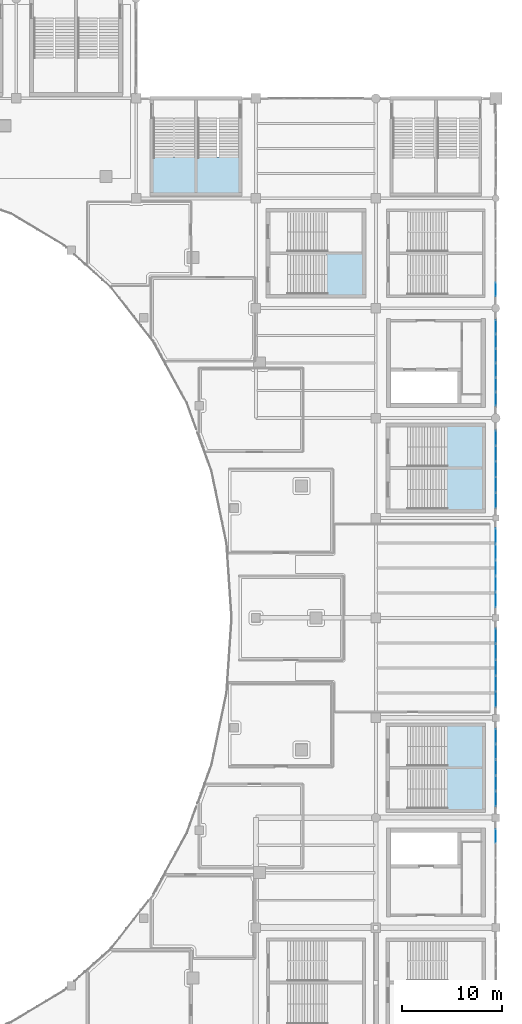
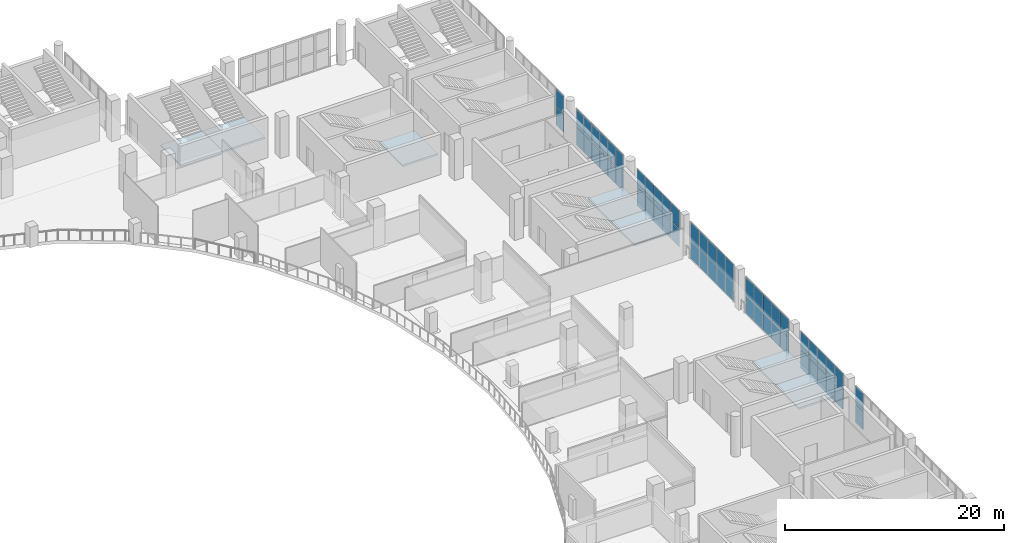
# One storey, part 57 of 90: 56 plates, 7 slabs, 14 elements without a shape of their own.
"""IFC4 building model written with IfcOpenShell, lengths in metres."""

from ifc_helpers import new_model, si_unit, direction, frame, origin, origin_2d, place, context, subcontext, project, spatial, polyline, rectangle, outline, extrude, material, layer, layer_set, type_object, element, aggregate, save


model = new_model("IFC4")

# Units and contexts
model_context = context("Model", 3, precision=1e-05, world=origin(), true_north=direction((0.0, 1.0)))
body_context = subcontext(model_context, "Body", "Model", "MODEL_VIEW")
ifc_project = project(units=[si_unit("LENGTHUNIT", "METRE"), si_unit("AREAUNIT", "SQUARE_METRE"), si_unit("VOLUMEUNIT", "CUBIC_METRE"), si_unit("PLANEANGLEUNIT", "RADIAN"), si_unit("MASSUNIT", "GRAM", prefix="KILO")], contexts=[model_context])

# Site, building, storey
site_placement = place(None, origin())
site = spatial("IfcSite", under=ifc_project, at=site_placement, CompositionType="ELEMENT")
building_placement = place(site_placement, origin())
building = spatial("IfcBuilding", under=site, at=building_placement, Name="Brinegate Civic Arena", CompositionType="ELEMENT")
storey_placement = place(building_placement, frame((0.0, 0.0, 14.699951171875)))
storey = spatial("IfcBuildingStorey", under=building, at=storey_placement, Name="L03", CompositionType="ELEMENT", Elevation=14.699951171875)

# Curtain wall, plates
ifc_material_1 = material(Name="Marine grade aluminium", Category="aluminium")
ifc_layer_1 = layer(ifc_material_1, 0.199951171875, Name="Marine grade aluminium")
ifc_layer_set_1 = layer_set([ifc_layer_1], Name="Marine grade aluminium")
curtain_wall_type = type_object("IfcCurtainWallType", Name="CW-BOWL-GLAZED-01", PredefinedType="USERDEFINED", material=ifc_layer_set_1)
curtain_wall_1_placement = place(storey_placement, origin())
curtain_wall_1 = element("IfcCurtainWall", 1, at=curtain_wall_1_placement, inside=storey, type_object=curtain_wall_type, Name="Curtain Wall CWA-108", ObjectType="GLAZED CURTAIN WALL", PredefinedType="USERDEFINED")
ifc_material_2 = material(Name="Hurricane laminated low-E glass", Category="glass")
ifc_layer_2 = layer(ifc_material_2, 0.028076171875, Name="Hurricane laminated low-E glass")
ifc_layer_set_2 = layer_set([ifc_layer_2], Name="Hurricane laminated low-E glass")
plate_type_1 = type_object("IfcPlateType", Name="CW-PANEL-GLAZED-28", PredefinedType="CURTAIN_PANEL", material=ifc_layer_set_2)
plate_1_placement = place(storey_placement, frame((168.0, 40.170166015625, 0.065185546875), z_axis=(0.0, 0.0, 1.0), x_axis=(0.0, 1.0, 0.0)))
plate_1 = element("IfcPlate", 2, at=plate_1_placement, type_object=plate_type_1, Name="CWA-108 panel 6.1", PredefinedType="CURTAIN_PANEL", context=body_context, shape_type="SweptSolid", body=[
    extrude(rectangle(XDim=1.369873046875, YDim=0.028076171875, at=origin_2d()), origin(), (0.0, 0.0, 1.0), 1.982421875),
])
plate_2_placement = place(storey_placement, frame((168.0, 40.170166015625, 2.112548828125), z_axis=(0.0, 0.0, 1.0), x_axis=(0.0, 1.0, 0.0)))
plate_2 = element("IfcPlate", 3, at=plate_2_placement, type_object=plate_type_1, Name="CWA-108 panel 6.2", PredefinedType="CURTAIN_PANEL", context=body_context, shape_type="SweptSolid", body=[
    extrude(rectangle(XDim=1.369873046875, YDim=0.028076171875, at=origin_2d()), origin(), (0.0, 0.0, 1.0), 1.982421875),
])
aggregate(curtain_wall_1, [plate_1, plate_2])

curtain_wall_2_placement = place(storey_placement, origin())
curtain_wall_2 = element("IfcCurtainWall", 4, at=curtain_wall_2_placement, inside=storey, type_object=curtain_wall_type, Name="Curtain Wall CWA-112", ObjectType="GLAZED CURTAIN WALL", PredefinedType="USERDEFINED")
plate_3_placement = place(storey_placement, frame((168.0, 53.855712890625, 0.0751953125), z_axis=(0.0, 0.0, 1.0), x_axis=(0.0, 1.0, 0.0)))
plate_3 = element("IfcPlate", 5, at=plate_3_placement, type_object=plate_type_1, Name="CWA-112 panel 1.1", PredefinedType="CURTAIN_PANEL", context=body_context, shape_type="SweptSolid", body=[
    extrude(rectangle(XDim=1.491455078125, YDim=0.028076171875, at=origin_2d()), origin(), (0.0, 0.0, 1.0), 1.967529296875),
])
plate_4_placement = place(storey_placement, frame((168.0, 53.855712890625, 2.11767578125), z_axis=(0.0, 0.0, 1.0), x_axis=(0.0, 1.0, 0.0)))
plate_4 = element("IfcPlate", 6, at=plate_4_placement, type_object=plate_type_1, Name="CWA-112 panel 1.2", PredefinedType="CURTAIN_PANEL", context=body_context, shape_type="SweptSolid", body=[
    extrude(rectangle(XDim=1.491455078125, YDim=0.028076171875, at=origin_2d()), origin(), (0.0, 0.0, 1.0), 1.967529296875),
])
plate_5_placement = place(storey_placement, frame((168.0, 55.428466796875, 0.0751953125), z_axis=(0.0, 0.0, 1.0), x_axis=(0.0, 1.0, 0.0)))
plate_5 = element("IfcPlate", 7, at=plate_5_placement, type_object=plate_type_1, Name="CWA-112 panel 2.1", PredefinedType="CURTAIN_PANEL", context=body_context, shape_type="SweptSolid", body=[
    extrude(rectangle(XDim=1.52392578125, YDim=0.028076171875, at=origin_2d()), origin(), (0.0, 0.0, 1.0), 1.967529296875),
])
plate_6_placement = place(storey_placement, frame((168.0, 55.428466796875, 2.11767578125), z_axis=(0.0, 0.0, 1.0), x_axis=(0.0, 1.0, 0.0)))
plate_6 = element("IfcPlate", 8, at=plate_6_placement, type_object=plate_type_1, Name="CWA-112 panel 2.2", PredefinedType="CURTAIN_PANEL", context=body_context, shape_type="SweptSolid", body=[
    extrude(rectangle(XDim=1.52392578125, YDim=0.028076171875, at=origin_2d()), origin(), (0.0, 0.0, 1.0), 1.967529296875),
])
plate_7_placement = place(storey_placement, frame((168.0, 57.017578125, 0.0751953125), z_axis=(0.0, 0.0, 1.0), x_axis=(0.0, 1.0, 0.0)))
plate_7 = element("IfcPlate", 9, at=plate_7_placement, type_object=plate_type_1, Name="CWA-112 panel 3.1", PredefinedType="CURTAIN_PANEL", context=body_context, shape_type="SweptSolid", body=[
    extrude(rectangle(XDim=1.52392578125, YDim=0.028076171875, at=origin_2d()), origin(), (0.0, 0.0, 1.0), 1.967529296875),
])
plate_8_placement = place(storey_placement, frame((168.0, 57.017578125, 2.11767578125), z_axis=(0.0, 0.0, 1.0), x_axis=(0.0, 1.0, 0.0)))
plate_8 = element("IfcPlate", 10, at=plate_8_placement, type_object=plate_type_1, Name="CWA-112 panel 3.2", PredefinedType="CURTAIN_PANEL", context=body_context, shape_type="SweptSolid", body=[
    extrude(rectangle(XDim=1.52392578125, YDim=0.028076171875, at=origin_2d()), origin(), (0.0, 0.0, 1.0), 1.967529296875),
])
plate_9_placement = place(storey_placement, frame((168.0, 58.6064453125, 0.0751953125), z_axis=(0.0, 0.0, 1.0), x_axis=(0.0, 1.0, 0.0)))
plate_9 = element("IfcPlate", 11, at=plate_9_placement, type_object=plate_type_1, Name="CWA-112 panel 4.1", PredefinedType="CURTAIN_PANEL", context=body_context, shape_type="SweptSolid", body=[
    extrude(rectangle(XDim=1.52392578125, YDim=0.028076171875, at=origin_2d()), origin(), (0.0, 0.0, 1.0), 1.967529296875),
])
plate_10_placement = place(storey_placement, frame((168.0, 58.6064453125, 2.11767578125), z_axis=(0.0, 0.0, 1.0), x_axis=(0.0, 1.0, 0.0)))
plate_10 = element("IfcPlate", 12, at=plate_10_placement, type_object=plate_type_1, Name="CWA-112 panel 4.2", PredefinedType="CURTAIN_PANEL", context=body_context, shape_type="SweptSolid", body=[
    extrude(rectangle(XDim=1.52392578125, YDim=0.028076171875, at=origin_2d()), origin(), (0.0, 0.0, 1.0), 1.967529296875),
])
plate_11_placement = place(storey_placement, frame((168.0, 60.17919921875, 0.0751953125), z_axis=(0.0, 0.0, 1.0), x_axis=(0.0, 1.0, 0.0)))
plate_11 = element("IfcPlate", 13, at=plate_11_placement, type_object=plate_type_1, Name="CWA-112 panel 5.1", PredefinedType="CURTAIN_PANEL", context=body_context, shape_type="SweptSolid", body=[
    extrude(rectangle(XDim=1.491455078125, YDim=0.028076171875, at=origin_2d()), origin(), (0.0, 0.0, 1.0), 1.967529296875),
])
plate_12_placement = place(storey_placement, frame((168.0, 60.17919921875, 2.11767578125), z_axis=(0.0, 0.0, 1.0), x_axis=(0.0, 1.0, 0.0)))
plate_12 = element("IfcPlate", 14, at=plate_12_placement, type_object=plate_type_1, Name="CWA-112 panel 5.2", PredefinedType="CURTAIN_PANEL", context=body_context, shape_type="SweptSolid", body=[
    extrude(rectangle(XDim=1.491455078125, YDim=0.028076171875, at=origin_2d()), origin(), (0.0, 0.0, 1.0), 1.967529296875),
])
aggregate(curtain_wall_2, [plate_3, plate_4, plate_5, plate_6, plate_7, plate_8, plate_9, plate_10, plate_11, plate_12])

curtain_wall_3_placement = place(storey_placement, origin())
curtain_wall_3 = element("IfcCurtainWall", 15, at=curtain_wall_3_placement, inside=storey, type_object=curtain_wall_type, Name="Curtain Wall CWA-116", ObjectType="GLAZED CURTAIN WALL", PredefinedType="USERDEFINED")
plate_13_placement = place(storey_placement, frame((168.0, 73.774169921875, 0.065185546875), z_axis=(0.0, 0.0, 1.0), x_axis=(0.0, 1.0, 0.0)))
plate_13 = element("IfcPlate", 16, at=plate_13_placement, type_object=plate_type_1, Name="CWA-116 panel 1.1", PredefinedType="CURTAIN_PANEL", context=body_context, shape_type="SweptSolid", body=[
    extrude(rectangle(XDim=1.470458984375, YDim=0.028076171875, at=origin_2d()), origin(), (0.0, 0.0, 1.0), 1.982421875),
])
plate_14_placement = place(storey_placement, frame((168.0, 73.774169921875, 2.112548828125), z_axis=(0.0, 0.0, 1.0), x_axis=(0.0, 1.0, 0.0)))
plate_14 = element("IfcPlate", 17, at=plate_14_placement, type_object=plate_type_1, Name="CWA-116 panel 1.2", PredefinedType="CURTAIN_PANEL", context=body_context, shape_type="SweptSolid", body=[
    extrude(rectangle(XDim=1.470458984375, YDim=0.028076171875, at=origin_2d()), origin(), (0.0, 0.0, 1.0), 1.982421875),
])
plate_15_placement = place(storey_placement, frame((168.0, 75.325927734375, 0.065185546875), z_axis=(0.0, 0.0, 1.0), x_axis=(0.0, 1.0, 0.0)))
plate_15 = element("IfcPlate", 18, at=plate_15_placement, type_object=plate_type_1, Name="CWA-116 panel 2.1", PredefinedType="CURTAIN_PANEL", context=body_context, shape_type="SweptSolid", body=[
    extrude(rectangle(XDim=1.5029296875, YDim=0.028076171875, at=origin_2d()), origin(), (0.0, 0.0, 1.0), 1.982421875),
])
plate_16_placement = place(storey_placement, frame((168.0, 75.325927734375, 2.112548828125), z_axis=(0.0, 0.0, 1.0), x_axis=(0.0, 1.0, 0.0)))
plate_16 = element("IfcPlate", 19, at=plate_16_placement, type_object=plate_type_1, Name="CWA-116 panel 2.2", PredefinedType="CURTAIN_PANEL", context=body_context, shape_type="SweptSolid", body=[
    extrude(rectangle(XDim=1.5029296875, YDim=0.028076171875, at=origin_2d()), origin(), (0.0, 0.0, 1.0), 1.982421875),
])
plate_17_placement = place(storey_placement, frame((168.0, 76.89404296875, 0.065185546875), z_axis=(0.0, 0.0, 1.0), x_axis=(0.0, 1.0, 0.0)))
plate_17 = element("IfcPlate", 20, at=plate_17_placement, type_object=plate_type_1, Name="CWA-116 panel 3.1", PredefinedType="CURTAIN_PANEL", context=body_context, shape_type="SweptSolid", body=[
    extrude(rectangle(XDim=1.5029296875, YDim=0.028076171875, at=origin_2d()), origin(), (0.0, 0.0, 1.0), 1.982421875),
])
plate_18_placement = place(storey_placement, frame((168.0, 76.89404296875, 2.112548828125), z_axis=(0.0, 0.0, 1.0), x_axis=(0.0, 1.0, 0.0)))
plate_18 = element("IfcPlate", 21, at=plate_18_placement, type_object=plate_type_1, Name="CWA-116 panel 3.2", PredefinedType="CURTAIN_PANEL", context=body_context, shape_type="SweptSolid", body=[
    extrude(rectangle(XDim=1.5029296875, YDim=0.028076171875, at=origin_2d()), origin(), (0.0, 0.0, 1.0), 1.982421875),
])
plate_19_placement = place(storey_placement, frame((168.0, 78.4619140625, 0.065185546875), z_axis=(0.0, 0.0, 1.0), x_axis=(0.0, 1.0, 0.0)))
plate_19 = element("IfcPlate", 22, at=plate_19_placement, type_object=plate_type_1, Name="CWA-116 panel 4.1", PredefinedType="CURTAIN_PANEL", context=body_context, shape_type="SweptSolid", body=[
    extrude(rectangle(XDim=1.5029296875, YDim=0.028076171875, at=origin_2d()), origin(), (0.0, 0.0, 1.0), 1.982421875),
])
plate_20_placement = place(storey_placement, frame((168.0, 78.4619140625, 2.112548828125), z_axis=(0.0, 0.0, 1.0), x_axis=(0.0, 1.0, 0.0)))
plate_20 = element("IfcPlate", 23, at=plate_20_placement, type_object=plate_type_1, Name="CWA-116 panel 4.2", PredefinedType="CURTAIN_PANEL", context=body_context, shape_type="SweptSolid", body=[
    extrude(rectangle(XDim=1.5029296875, YDim=0.028076171875, at=origin_2d()), origin(), (0.0, 0.0, 1.0), 1.982421875),
])
plate_21_placement = place(storey_placement, frame((168.0, 80.013671875, 0.065185546875), z_axis=(0.0, 0.0, 1.0), x_axis=(0.0, 1.0, 0.0)))
plate_21 = element("IfcPlate", 24, at=plate_21_placement, type_object=plate_type_1, Name="CWA-116 panel 5.1", PredefinedType="CURTAIN_PANEL", context=body_context, shape_type="SweptSolid", body=[
    extrude(rectangle(XDim=1.470458984375, YDim=0.028076171875, at=origin_2d()), origin(), (0.0, 0.0, 1.0), 1.982421875),
])
plate_22_placement = place(storey_placement, frame((168.0, 80.013671875, 2.112548828125), z_axis=(0.0, 0.0, 1.0), x_axis=(0.0, 1.0, 0.0)))
plate_22 = element("IfcPlate", 25, at=plate_22_placement, type_object=plate_type_1, Name="CWA-116 panel 5.2", PredefinedType="CURTAIN_PANEL", context=body_context, shape_type="SweptSolid", body=[
    extrude(rectangle(XDim=1.470458984375, YDim=0.028076171875, at=origin_2d()), origin(), (0.0, 0.0, 1.0), 1.982421875),
])
aggregate(curtain_wall_3, [plate_13, plate_14, plate_15, plate_16, plate_17, plate_18, plate_19, plate_20, plate_21, plate_22])

curtain_wall_4_placement = place(storey_placement, origin())
curtain_wall_4 = element("IfcCurtainWall", 26, at=curtain_wall_4_placement, inside=storey, type_object=curtain_wall_type, Name="Curtain Wall CWA-120", ObjectType="GLAZED CURTAIN WALL", PredefinedType="USERDEFINED")
plate_23_placement = place(storey_placement, frame((168.0, 94.868896484375, 0.065185546875), z_axis=(0.0, 0.0, 1.0), x_axis=(0.0, 1.0, 0.0)))
plate_23 = element("IfcPlate", 27, at=plate_23_placement, type_object=plate_type_1, Name="CWA-120 panel 1.1", PredefinedType="CURTAIN_PANEL", context=body_context, shape_type="SweptSolid", body=[
    extrude(rectangle(XDim=1.375732421875, YDim=0.028076171875, at=origin_2d()), origin(), (0.0, 0.0, 1.0), 1.982421875),
])
plate_24_placement = place(storey_placement, frame((168.0, 94.868896484375, 2.112548828125), z_axis=(0.0, 0.0, 1.0), x_axis=(0.0, 1.0, 0.0)))
plate_24 = element("IfcPlate", 28, at=plate_24_placement, type_object=plate_type_1, Name="CWA-120 panel 1.2", PredefinedType="CURTAIN_PANEL", context=body_context, shape_type="SweptSolid", body=[
    extrude(rectangle(XDim=1.375732421875, YDim=0.028076171875, at=origin_2d()), origin(), (0.0, 0.0, 1.0), 1.982421875),
])
aggregate(curtain_wall_4, [plate_23, plate_24])

curtain_wall_5_placement = place(storey_placement, origin())
curtain_wall_5 = element("IfcCurtainWall", 29, at=curtain_wall_5_placement, inside=storey, type_object=curtain_wall_type, Name="Curtain Wall CWA-110", ObjectType="GLAZED CURTAIN WALL", PredefinedType="USERDEFINED")
ifc_layer_3 = layer(ifc_material_2, 0.035888671875, Name="Hurricane laminated low-E glass")
ifc_layer_set_3 = layer_set([ifc_layer_3], Name="Hurricane laminated low-E glass")
plate_type_2 = type_object("IfcPlateType", Name="CW-PANEL-GLAZED-36", PredefinedType="CURTAIN_PANEL", material=ifc_layer_set_3)
plate_25_placement = place(storey_placement, frame((168.0, 43.88623046875, 0.065185546875), z_axis=(0.0, 0.0, 1.0), x_axis=(0.0, 1.0, 0.0)))
plate_25 = element("IfcPlate", 30, at=plate_25_placement, type_object=plate_type_2, Name="CWA-110 panel 1.1", PredefinedType="CURTAIN_PANEL", context=body_context, shape_type="SweptSolid", body=[
    extrude(rectangle(XDim=1.46240234375, YDim=0.035888671875, at=origin_2d()), origin(), (0.0, 0.0, 1.0), 1.982421875),
])
plate_26_placement = place(storey_placement, frame((168.0, 43.88623046875, 2.112548828125), z_axis=(0.0, 0.0, 1.0), x_axis=(0.0, 1.0, 0.0)))
plate_26 = element("IfcPlate", 31, at=plate_26_placement, type_object=plate_type_2, Name="CWA-110 panel 1.2", PredefinedType="CURTAIN_PANEL", context=body_context, shape_type="SweptSolid", body=[
    extrude(rectangle(XDim=1.46240234375, YDim=0.035888671875, at=origin_2d()), origin(), (0.0, 0.0, 1.0), 1.982421875),
])
plate_27_placement = place(storey_placement, frame((168.0, 45.4423828125, 0.065185546875), z_axis=(0.0, 0.0, 1.0), x_axis=(0.0, 1.0, 0.0)))
plate_27 = element("IfcPlate", 32, at=plate_27_placement, type_object=plate_type_2, Name="CWA-110 panel 2.1", PredefinedType="CURTAIN_PANEL", context=body_context, shape_type="SweptSolid", body=[
    extrude(rectangle(XDim=1.5, YDim=0.035888671875, at=origin_2d()), origin(), (0.0, 0.0, 1.0), 1.982421875),
])
plate_28_placement = place(storey_placement, frame((168.0, 45.4423828125, 2.112548828125), z_axis=(0.0, 0.0, 1.0), x_axis=(0.0, 1.0, 0.0)))
plate_28 = element("IfcPlate", 33, at=plate_28_placement, type_object=plate_type_2, Name="CWA-110 panel 2.2", PredefinedType="CURTAIN_PANEL", context=body_context, shape_type="SweptSolid", body=[
    extrude(rectangle(XDim=1.5, YDim=0.035888671875, at=origin_2d()), origin(), (0.0, 0.0, 1.0), 1.982421875),
])
plate_29_placement = place(storey_placement, frame((168.0, 47.017578125, 0.065185546875), z_axis=(0.0, 0.0, 1.0), x_axis=(0.0, 1.0, 0.0)))
plate_29 = element("IfcPlate", 34, at=plate_29_placement, type_object=plate_type_2, Name="CWA-110 panel 3.1", PredefinedType="CURTAIN_PANEL", context=body_context, shape_type="SweptSolid", body=[
    extrude(rectangle(XDim=1.5, YDim=0.035888671875, at=origin_2d()), origin(), (0.0, 0.0, 1.0), 1.982421875),
])
plate_30_placement = place(storey_placement, frame((168.0, 47.017578125, 2.112548828125), z_axis=(0.0, 0.0, 1.0), x_axis=(0.0, 1.0, 0.0)))
plate_30 = element("IfcPlate", 35, at=plate_30_placement, type_object=plate_type_2, Name="CWA-110 panel 3.2", PredefinedType="CURTAIN_PANEL", context=body_context, shape_type="SweptSolid", body=[
    extrude(rectangle(XDim=1.5, YDim=0.035888671875, at=origin_2d()), origin(), (0.0, 0.0, 1.0), 1.982421875),
])
plate_31_placement = place(storey_placement, frame((168.0, 48.592529296875, 0.065185546875), z_axis=(0.0, 0.0, 1.0), x_axis=(0.0, 1.0, 0.0)))
plate_31 = element("IfcPlate", 36, at=plate_31_placement, type_object=plate_type_2, Name="CWA-110 panel 4.1", PredefinedType="CURTAIN_PANEL", context=body_context, shape_type="SweptSolid", body=[
    extrude(rectangle(XDim=1.5, YDim=0.035888671875, at=origin_2d()), origin(), (0.0, 0.0, 1.0), 1.982421875),
])
plate_32_placement = place(storey_placement, frame((168.0, 48.592529296875, 2.112548828125), z_axis=(0.0, 0.0, 1.0), x_axis=(0.0, 1.0, 0.0)))
plate_32 = element("IfcPlate", 37, at=plate_32_placement, type_object=plate_type_2, Name="CWA-110 panel 4.2", PredefinedType="CURTAIN_PANEL", context=body_context, shape_type="SweptSolid", body=[
    extrude(rectangle(XDim=1.5, YDim=0.035888671875, at=origin_2d()), origin(), (0.0, 0.0, 1.0), 1.982421875),
])
plate_33_placement = place(storey_placement, frame((168.0, 50.148681640625, 0.065185546875), z_axis=(0.0, 0.0, 1.0), x_axis=(0.0, 1.0, 0.0)))
plate_33 = element("IfcPlate", 38, at=plate_33_placement, type_object=plate_type_2, Name="CWA-110 panel 5.1", PredefinedType="CURTAIN_PANEL", context=body_context, shape_type="SweptSolid", body=[
    extrude(rectangle(XDim=1.46240234375, YDim=0.035888671875, at=origin_2d()), origin(), (0.0, 0.0, 1.0), 1.982421875),
])
plate_34_placement = place(storey_placement, frame((168.0, 50.148681640625, 2.112548828125), z_axis=(0.0, 0.0, 1.0), x_axis=(0.0, 1.0, 0.0)))
plate_34 = element("IfcPlate", 39, at=plate_34_placement, type_object=plate_type_2, Name="CWA-110 panel 5.2", PredefinedType="CURTAIN_PANEL", context=body_context, shape_type="SweptSolid", body=[
    extrude(rectangle(XDim=1.46240234375, YDim=0.035888671875, at=origin_2d()), origin(), (0.0, 0.0, 1.0), 1.982421875),
])
aggregate(curtain_wall_5, [plate_25, plate_26, plate_27, plate_28, plate_29, plate_30, plate_31, plate_32, plate_33, plate_34])

curtain_wall_6_placement = place(storey_placement, origin())
curtain_wall_6 = element("IfcCurtainWall", 40, at=curtain_wall_6_placement, inside=storey, type_object=curtain_wall_type, Name="Curtain Wall CWA-114", ObjectType="GLAZED CURTAIN WALL", PredefinedType="USERDEFINED")
plate_35_placement = place(storey_placement, frame((168.0, 63.830322265625, 0.065185546875), z_axis=(0.0, 0.0, 1.0), x_axis=(0.0, 1.0, 0.0)))
plate_35 = element("IfcPlate", 41, at=plate_35_placement, type_object=plate_type_2, Name="CWA-114 panel 1.1", PredefinedType="CURTAIN_PANEL", context=body_context, shape_type="SweptSolid", body=[
    extrude(rectangle(XDim=1.49072265625, YDim=0.035888671875, at=origin_2d()), origin(), (0.0, 0.0, 1.0), 1.982421875),
])
plate_36_placement = place(storey_placement, frame((168.0, 63.830322265625, 2.112548828125), z_axis=(0.0, 0.0, 1.0), x_axis=(0.0, 1.0, 0.0)))
plate_36 = element("IfcPlate", 42, at=plate_36_placement, type_object=plate_type_2, Name="CWA-114 panel 1.2", PredefinedType="CURTAIN_PANEL", context=body_context, shape_type="SweptSolid", body=[
    extrude(rectangle(XDim=1.49072265625, YDim=0.035888671875, at=origin_2d()), origin(), (0.0, 0.0, 1.0), 1.982421875),
])
plate_37_placement = place(storey_placement, frame((168.0, 65.414794921875, 0.065185546875), z_axis=(0.0, 0.0, 1.0), x_axis=(0.0, 1.0, 0.0)))
plate_37 = element("IfcPlate", 43, at=plate_37_placement, type_object=plate_type_2, Name="CWA-114 panel 2.1", PredefinedType="CURTAIN_PANEL", context=body_context, shape_type="SweptSolid", body=[
    extrude(rectangle(XDim=1.5283203125, YDim=0.035888671875, at=origin_2d()), origin(), (0.0, 0.0, 1.0), 1.982421875),
])
plate_38_placement = place(storey_placement, frame((168.0, 65.414794921875, 2.112548828125), z_axis=(0.0, 0.0, 1.0), x_axis=(0.0, 1.0, 0.0)))
plate_38 = element("IfcPlate", 44, at=plate_38_placement, type_object=plate_type_2, Name="CWA-114 panel 2.2", PredefinedType="CURTAIN_PANEL", context=body_context, shape_type="SweptSolid", body=[
    extrude(rectangle(XDim=1.5283203125, YDim=0.035888671875, at=origin_2d()), origin(), (0.0, 0.0, 1.0), 1.982421875),
])
plate_39_placement = place(storey_placement, frame((168.0, 67.01806640625, 0.065185546875), z_axis=(0.0, 0.0, 1.0), x_axis=(0.0, 1.0, 0.0)))
plate_39 = element("IfcPlate", 45, at=plate_39_placement, type_object=plate_type_2, Name="CWA-114 panel 3.1", PredefinedType="CURTAIN_PANEL", context=body_context, shape_type="SweptSolid", body=[
    extrude(rectangle(XDim=1.5283203125, YDim=0.035888671875, at=origin_2d()), origin(), (0.0, 0.0, 1.0), 1.982421875),
])
plate_40_placement = place(storey_placement, frame((168.0, 67.01806640625, 2.112548828125), z_axis=(0.0, 0.0, 1.0), x_axis=(0.0, 1.0, 0.0)))
plate_40 = element("IfcPlate", 46, at=plate_40_placement, type_object=plate_type_2, Name="CWA-114 panel 3.2", PredefinedType="CURTAIN_PANEL", context=body_context, shape_type="SweptSolid", body=[
    extrude(rectangle(XDim=1.5283203125, YDim=0.035888671875, at=origin_2d()), origin(), (0.0, 0.0, 1.0), 1.982421875),
])
plate_41_placement = place(storey_placement, frame((168.0, 68.62109375, 0.065185546875), z_axis=(0.0, 0.0, 1.0), x_axis=(0.0, 1.0, 0.0)))
plate_41 = element("IfcPlate", 47, at=plate_41_placement, type_object=plate_type_2, Name="CWA-114 panel 4.1", PredefinedType="CURTAIN_PANEL", context=body_context, shape_type="SweptSolid", body=[
    extrude(rectangle(XDim=1.5283203125, YDim=0.035888671875, at=origin_2d()), origin(), (0.0, 0.0, 1.0), 1.982421875),
])
plate_42_placement = place(storey_placement, frame((168.0, 68.62109375, 2.112548828125), z_axis=(0.0, 0.0, 1.0), x_axis=(0.0, 1.0, 0.0)))
plate_42 = element("IfcPlate", 48, at=plate_42_placement, type_object=plate_type_2, Name="CWA-114 panel 4.2", PredefinedType="CURTAIN_PANEL", context=body_context, shape_type="SweptSolid", body=[
    extrude(rectangle(XDim=1.5283203125, YDim=0.035888671875, at=origin_2d()), origin(), (0.0, 0.0, 1.0), 1.982421875),
])
plate_43_placement = place(storey_placement, frame((168.0, 70.20556640625, 0.065185546875), z_axis=(0.0, 0.0, 1.0), x_axis=(0.0, 1.0, 0.0)))
plate_43 = element("IfcPlate", 49, at=plate_43_placement, type_object=plate_type_2, Name="CWA-114 panel 5.1", PredefinedType="CURTAIN_PANEL", context=body_context, shape_type="SweptSolid", body=[
    extrude(rectangle(XDim=1.49072265625, YDim=0.035888671875, at=origin_2d()), origin(), (0.0, 0.0, 1.0), 1.982421875),
])
plate_44_placement = place(storey_placement, frame((168.0, 70.20556640625, 2.112548828125), z_axis=(0.0, 0.0, 1.0), x_axis=(0.0, 1.0, 0.0)))
plate_44 = element("IfcPlate", 50, at=plate_44_placement, type_object=plate_type_2, Name="CWA-114 panel 5.2", PredefinedType="CURTAIN_PANEL", context=body_context, shape_type="SweptSolid", body=[
    extrude(rectangle(XDim=1.49072265625, YDim=0.035888671875, at=origin_2d()), origin(), (0.0, 0.0, 1.0), 1.982421875),
])
aggregate(curtain_wall_6, [plate_35, plate_36, plate_37, plate_38, plate_39, plate_40, plate_41, plate_42, plate_43, plate_44])

curtain_wall_7_placement = place(storey_placement, origin())
curtain_wall_7 = element("IfcCurtainWall", 51, at=curtain_wall_7_placement, inside=storey, type_object=curtain_wall_type, Name="Curtain Wall CWA-118", ObjectType="GLAZED CURTAIN WALL", PredefinedType="USERDEFINED")
plate_45_placement = place(storey_placement, frame((168.0, 83.9296875, 0.0751953125), z_axis=(0.0, 0.0, 1.0), x_axis=(0.0, 1.0, 0.0)))
plate_45 = element("IfcPlate", 52, at=plate_45_placement, type_object=plate_type_2, Name="CWA-118 panel 1.1", PredefinedType="CURTAIN_PANEL", context=body_context, shape_type="SweptSolid", body=[
    extrude(rectangle(XDim=1.337158203125, YDim=0.035888671875, at=origin_2d()), origin(), (0.0, 0.0, 1.0), 1.967529296875),
])
plate_46_placement = place(storey_placement, frame((168.0, 83.9296875, 2.11767578125), z_axis=(0.0, 0.0, 1.0), x_axis=(0.0, 1.0, 0.0)))
plate_46 = element("IfcPlate", 53, at=plate_46_placement, type_object=plate_type_2, Name="CWA-118 panel 1.2", PredefinedType="CURTAIN_PANEL", context=body_context, shape_type="SweptSolid", body=[
    extrude(rectangle(XDim=1.337158203125, YDim=0.035888671875, at=origin_2d()), origin(), (0.0, 0.0, 1.0), 1.967529296875),
])
plate_47_placement = place(storey_placement, frame((168.0, 85.360595703125, 0.0751953125), z_axis=(0.0, 0.0, 1.0), x_axis=(0.0, 1.0, 0.0)))
plate_47 = element("IfcPlate", 54, at=plate_47_placement, type_object=plate_type_2, Name="CWA-118 panel 2.1", PredefinedType="CURTAIN_PANEL", context=body_context, shape_type="SweptSolid", body=[
    extrude(rectangle(XDim=1.374755859375, YDim=0.035888671875, at=origin_2d()), origin(), (0.0, 0.0, 1.0), 1.967529296875),
])
plate_48_placement = place(storey_placement, frame((168.0, 85.360595703125, 2.11767578125), z_axis=(0.0, 0.0, 1.0), x_axis=(0.0, 1.0, 0.0)))
plate_48 = element("IfcPlate", 55, at=plate_48_placement, type_object=plate_type_2, Name="CWA-118 panel 2.2", PredefinedType="CURTAIN_PANEL", context=body_context, shape_type="SweptSolid", body=[
    extrude(rectangle(XDim=1.374755859375, YDim=0.035888671875, at=origin_2d()), origin(), (0.0, 0.0, 1.0), 1.967529296875),
])
plate_49_placement = place(storey_placement, frame((168.0, 86.81005859375, 0.0751953125), z_axis=(0.0, 0.0, 1.0), x_axis=(0.0, 1.0, 0.0)))
plate_49 = element("IfcPlate", 56, at=plate_49_placement, type_object=plate_type_2, Name="CWA-118 panel 3.1", PredefinedType="CURTAIN_PANEL", context=body_context, shape_type="SweptSolid", body=[
    extrude(rectangle(XDim=1.374755859375, YDim=0.035888671875, at=origin_2d()), origin(), (0.0, 0.0, 1.0), 1.967529296875),
])
plate_50_placement = place(storey_placement, frame((168.0, 86.81005859375, 2.11767578125), z_axis=(0.0, 0.0, 1.0), x_axis=(0.0, 1.0, 0.0)))
plate_50 = element("IfcPlate", 57, at=plate_50_placement, type_object=plate_type_2, Name="CWA-118 panel 3.2", PredefinedType="CURTAIN_PANEL", context=body_context, shape_type="SweptSolid", body=[
    extrude(rectangle(XDim=1.374755859375, YDim=0.035888671875, at=origin_2d()), origin(), (0.0, 0.0, 1.0), 1.967529296875),
])
plate_51_placement = place(storey_placement, frame((168.0, 88.259765625, 0.0751953125), z_axis=(0.0, 0.0, 1.0), x_axis=(0.0, 1.0, 0.0)))
plate_51 = element("IfcPlate", 58, at=plate_51_placement, type_object=plate_type_2, Name="CWA-118 panel 4.1", PredefinedType="CURTAIN_PANEL", context=body_context, shape_type="SweptSolid", body=[
    extrude(rectangle(XDim=1.374755859375, YDim=0.035888671875, at=origin_2d()), origin(), (0.0, 0.0, 1.0), 1.967529296875),
])
plate_52_placement = place(storey_placement, frame((168.0, 88.259765625, 2.11767578125), z_axis=(0.0, 0.0, 1.0), x_axis=(0.0, 1.0, 0.0)))
plate_52 = element("IfcPlate", 59, at=plate_52_placement, type_object=plate_type_2, Name="CWA-118 panel 4.2", PredefinedType="CURTAIN_PANEL", context=body_context, shape_type="SweptSolid", body=[
    extrude(rectangle(XDim=1.374755859375, YDim=0.035888671875, at=origin_2d()), origin(), (0.0, 0.0, 1.0), 1.967529296875),
])
plate_53_placement = place(storey_placement, frame((168.0, 89.70947265625, 0.0751953125), z_axis=(0.0, 0.0, 1.0), x_axis=(0.0, 1.0, 0.0)))
plate_53 = element("IfcPlate", 60, at=plate_53_placement, type_object=plate_type_2, Name="CWA-118 panel 5.1", PredefinedType="CURTAIN_PANEL", context=body_context, shape_type="SweptSolid", body=[
    extrude(rectangle(XDim=1.374755859375, YDim=0.035888671875, at=origin_2d()), origin(), (0.0, 0.0, 1.0), 1.967529296875),
])
plate_54_placement = place(storey_placement, frame((168.0, 89.70947265625, 2.11767578125), z_axis=(0.0, 0.0, 1.0), x_axis=(0.0, 1.0, 0.0)))
plate_54 = element("IfcPlate", 61, at=plate_54_placement, type_object=plate_type_2, Name="CWA-118 panel 5.2", PredefinedType="CURTAIN_PANEL", context=body_context, shape_type="SweptSolid", body=[
    extrude(rectangle(XDim=1.374755859375, YDim=0.035888671875, at=origin_2d()), origin(), (0.0, 0.0, 1.0), 1.967529296875),
])
plate_55_placement = place(storey_placement, frame((168.0, 91.140380859375, 0.0751953125), z_axis=(0.0, 0.0, 1.0), x_axis=(0.0, 1.0, 0.0)))
plate_55 = element("IfcPlate", 62, at=plate_55_placement, type_object=plate_type_2, Name="CWA-118 panel 6.1", PredefinedType="CURTAIN_PANEL", context=body_context, shape_type="SweptSolid", body=[
    extrude(rectangle(XDim=1.337158203125, YDim=0.035888671875, at=origin_2d()), origin(), (0.0, 0.0, 1.0), 1.967529296875),
])
plate_56_placement = place(storey_placement, frame((168.0, 91.140380859375, 2.11767578125), z_axis=(0.0, 0.0, 1.0), x_axis=(0.0, 1.0, 0.0)))
plate_56 = element("IfcPlate", 63, at=plate_56_placement, type_object=plate_type_2, Name="CWA-118 panel 6.2", PredefinedType="CURTAIN_PANEL", context=body_context, shape_type="SweptSolid", body=[
    extrude(rectangle(XDim=1.337158203125, YDim=0.035888671875, at=origin_2d()), origin(), (0.0, 0.0, 1.0), 1.967529296875),
])
aggregate(curtain_wall_7, [plate_45, plate_46, plate_47, plate_48, plate_49, plate_50, plate_51, plate_52, plate_53, plate_54, plate_55, plate_56])

# Stair, slab
ifc_material_3 = material(Name="Concrete C40/50", Category="concrete")
stair_type_1 = type_object("IfcStairType", Name="STAIR-EXIT-3850", PredefinedType="HALF_TURN_STAIR", material=ifc_material_3)
stair_1_placement = place(storey_placement, origin())
stair_1 = element("IfcStair", 64, at=stair_1_placement, inside=storey, type_object=stair_type_1, Name="Protected Exit Stair ST-09A (L03)", PredefinedType="HALF_TURN_STAIR")
ifc_layer_4 = layer(ifc_material_3, 0.199951171875, Name="Concrete C40/50")
ifc_layer_set_4 = layer_set([ifc_layer_4], Name="Concrete C40/50")
slab_type = type_object("IfcSlabType", Name="SLAB-LANDING-200", PredefinedType="LANDING", material=ifc_layer_set_4)
slab_1_placement = place(storey_placement, frame((0.0, 0.0, 2.050048828125)))
slab_1 = element("IfcSlab", 65, at=slab_1_placement, type_object=slab_type, Name="ST-09A landing 1", PredefinedType="LANDING", context=body_context, shape_type="SweptSolid", body=[
    extrude(outline(polyline([(163.080078125, 72.7451171875), (166.800048828125, 72.7451171875), (166.800048828125, 77.0048828125), (163.080078125, 77.0048828125), (163.080078125, 72.7451171875)])), origin(), (0.0, 0.0, 1.0), 0.199951171875),
])
aggregate(stair_1, [slab_1])

stair_type_2 = type_object("IfcStairType", Name="STAIR-EXIT-3700", PredefinedType="HALF_TURN_STAIR", material=ifc_material_3)
stair_2_placement = place(storey_placement, origin())
stair_2 = element("IfcStair", 66, at=stair_2_placement, inside=storey, type_object=stair_type_2, Name="Protected Exit Stair ST-09B (L03)", PredefinedType="HALF_TURN_STAIR")
slab_2_placement = place(storey_placement, frame((0.0, 0.0, 2.050048828125)))
slab_2 = element("IfcSlab", 67, at=slab_2_placement, type_object=slab_type, Name="ST-09B landing 1", PredefinedType="LANDING", context=body_context, shape_type="SweptSolid", body=[
    extrude(outline(polyline([(163.080078125, 76.9951171875), (166.800048828125, 76.9951171875), (166.800048828125, 81.2548828125), (163.080078125, 81.2548828125), (163.080078125, 76.9951171875)])), origin(), (0.0, 0.0, 1.0), 0.199951171875),
])
aggregate(stair_2, [slab_2])

stair_3_placement = place(storey_placement, origin())
stair_3 = element("IfcStair", 68, at=stair_3_placement, inside=storey, type_object=stair_type_1, Name="Protected Exit Stair ST-10A (L03)", PredefinedType="HALF_TURN_STAIR")
slab_3_placement = place(storey_placement, frame((0.0, 0.0, 2.050048828125)))
slab_3 = element("IfcSlab", 69, at=slab_3_placement, type_object=slab_type, Name="ST-10A landing 1", PredefinedType="LANDING", context=body_context, shape_type="SweptSolid", body=[
    extrude(outline(polyline([(163.080078125, 42.72509765625), (166.800048828125, 42.72509765625), (166.800048828125, 47.0048828125), (163.080078125, 47.0048828125), (163.080078125, 42.72509765625)])), origin(), (0.0, 0.0, 1.0), 0.199951171875),
])
aggregate(stair_3, [slab_3])

stair_4_placement = place(storey_placement, origin())
stair_4 = element("IfcStair", 70, at=stair_4_placement, inside=storey, type_object=stair_type_2, Name="Protected Exit Stair ST-10B (L03)", PredefinedType="HALF_TURN_STAIR")
slab_4_placement = place(storey_placement, frame((0.0, 0.0, 2.050048828125)))
slab_4 = element("IfcSlab", 71, at=slab_4_placement, type_object=slab_type, Name="ST-10B landing 1", PredefinedType="LANDING", context=body_context, shape_type="SweptSolid", body=[
    extrude(outline(polyline([(163.080078125, 46.9951171875), (166.800048828125, 46.9951171875), (166.800048828125, 51.27490234375), (163.080078125, 51.27490234375), (163.080078125, 46.9951171875)])), origin(), (0.0, 0.0, 1.0), 0.199951171875),
])
aggregate(stair_4, [slab_4])

stair_5_placement = place(storey_placement, origin())
stair_5 = element("IfcStair", 72, at=stair_5_placement, inside=storey, type_object=stair_type_1, Name="Protected Exit Stair ST-13A (L03)", PredefinedType="HALF_TURN_STAIR")
slab_5_placement = place(storey_placement, frame((0.0, 0.0, 2.050048828125)))
slab_5 = element("IfcSlab", 73, at=slab_5_placement, type_object=slab_type, Name="ST-13A landing 1", PredefinedType="LANDING", context=body_context, shape_type="SweptSolid", body=[
    extrude(outline(polyline([(133.574951171875, 104.39990234375), (138.0048828125, 104.39990234375), (138.0048828125, 108.1201171875), (133.574951171875, 108.1201171875), (133.574951171875, 104.39990234375)])), origin(), (0.0, 0.0, 1.0), 0.199951171875),
])
aggregate(stair_5, [slab_5])

stair_6_placement = place(storey_placement, origin())
stair_6 = element("IfcStair", 74, at=stair_6_placement, inside=storey, type_object=stair_type_2, Name="Protected Exit Stair ST-13B (L03)", PredefinedType="HALF_TURN_STAIR")
slab_6_placement = place(storey_placement, frame((0.0, 0.0, 2.050048828125)))
slab_6 = element("IfcSlab", 75, at=slab_6_placement, type_object=slab_type, Name="ST-13B landing 1", PredefinedType="LANDING", context=body_context, shape_type="SweptSolid", body=[
    extrude(outline(polyline([(137.9951171875, 104.39990234375), (142.425048828125, 104.39990234375), (142.425048828125, 108.1201171875), (137.9951171875, 108.1201171875), (137.9951171875, 104.39990234375)])), origin(), (0.0, 0.0, 1.0), 0.199951171875),
])
aggregate(stair_6, [slab_6])

stair_7_placement = place(storey_placement, origin())
stair_7 = element("IfcStair", 76, at=stair_7_placement, inside=storey, type_object=stair_type_1, Name="Protected Exit Stair ST-18A (L03)", PredefinedType="HALF_TURN_STAIR")
slab_7_placement = place(storey_placement, frame((0.0, 0.0, 2.050048828125)))
slab_7 = element("IfcSlab", 77, at=slab_7_placement, type_object=slab_type, Name="ST-18A landing 1", PredefinedType="LANDING", context=body_context, shape_type="SweptSolid", body=[
    extrude(outline(polyline([(151.080078125, 94.2451171875), (154.800048828125, 94.2451171875), (154.800048828125, 98.5048828125), (151.080078125, 98.5048828125), (151.080078125, 94.2451171875)])), origin(), (0.0, 0.0, 1.0), 0.199951171875),
])
aggregate(stair_7, [slab_7])

save(model, "model.ifc")
